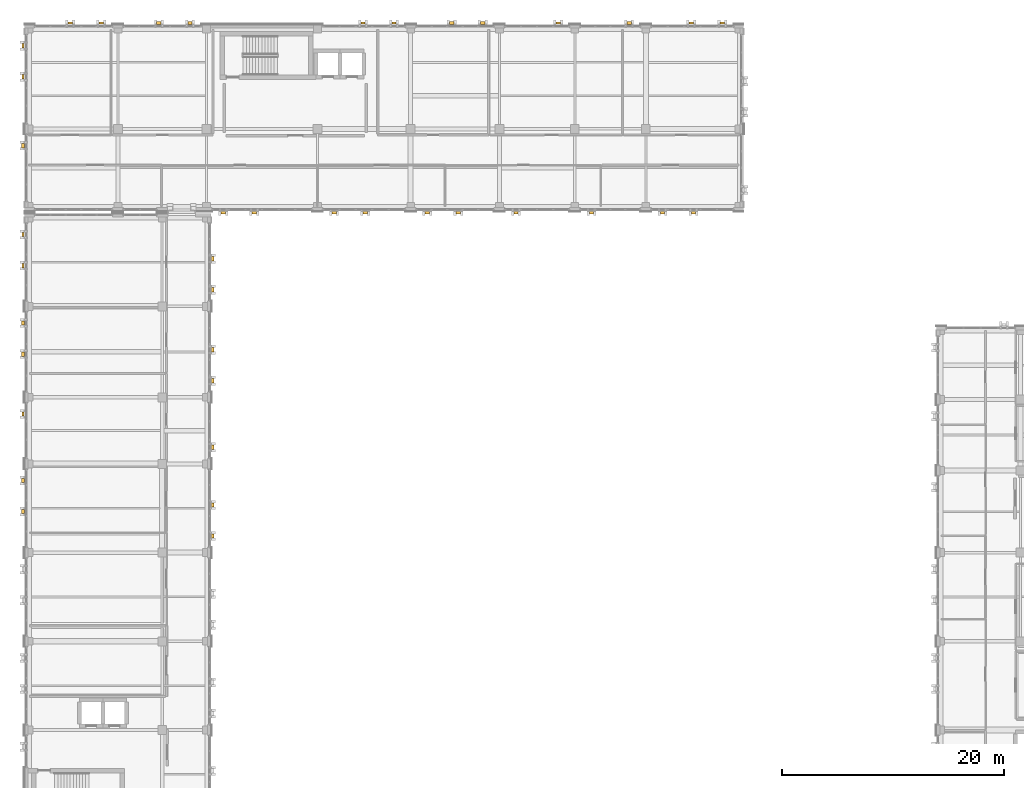
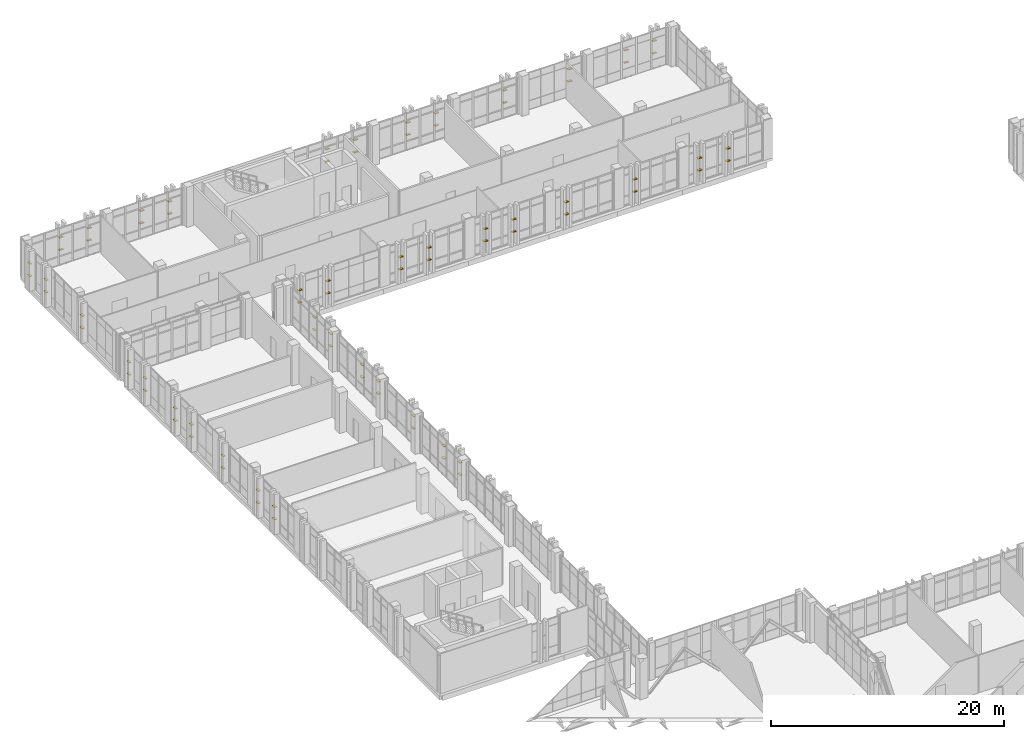
# One storey, part 191 of 193: 78 shading devices.
"""IFC4 building model written with IfcOpenShell, lengths in metres."""

import ifcopenshell
import ifcopenshell.guid

model = None  # the IFC model being written
_history = None  # IfcOwnerHistory: only IFC2X3 demands one
_inside = {}  # id of a spatial element -> (the spatial element, [elements in it])
_under = {}  # id of a project, library or spatial element -> (it, [spatial elements below it])
_declared = {}  # id of a project -> (the project, [libraries it declares])
_typed = {}  # id of a type object -> (the type object, [elements of that type])
_made_of = {}  # id of a material, layer set ... -> (it, [elements and type objects made of it])


def new_model(schema):
    """Start an empty IFC model of exactly this schema.

    Asked for "IFC4X3", IfcOpenShell would pick the latest addendum, in which some entities
    have other attributes; the version numbers below select the first issue.
    IFC2X3 requires an IfcOwnerHistory on every rooted entity: one is made here for all.
    """
    global model, _history
    if schema == "IFC4X3":
        model = ifcopenshell.file(schema_version=(4, 3, 0, 0))
    else:
        model = ifcopenshell.file(schema=schema)
    _inside.clear()
    _under.clear()
    _declared.clear()
    _typed.clear()
    _made_of.clear()
    _history = None
    if model.schema == "IFC2X3":
        org = make("IfcOrganization", Name="unknown")
        user = make(
            "IfcPersonAndOrganization",
            ThePerson=make("IfcPerson", FamilyName="unknown"),
            TheOrganization=org,
        )
        app = make(
            "IfcApplication",
            ApplicationDeveloper=org,
            Version="unknown",
            ApplicationFullName="unknown",
            ApplicationIdentifier="unknown",
        )
        _history = make(
            "IfcOwnerHistory",
            OwningUser=user,
            OwningApplication=app,
            ChangeAction="ADDED",
            CreationDate=0,
        )
    return model


def make(cls, **values):
    """One entity of the class cls with the attributes given. An attribute that is None is left unset."""
    return model.create_entity(
        cls, **{name: value for name, value in values.items() if value is not None}
    )


def rooted(cls, **values):
    """An entity with a GlobalId (a new one), such as an element, a storey or a relation."""
    return make(cls, GlobalId=ifcopenshell.guid.new(), OwnerHistory=_history, **values)


def si_unit(unit_type, name, prefix=None):
    """IfcSIUnit, for example si_unit("LENGTHUNIT", "METRE", prefix="MILLI")."""
    return make("IfcSIUnit", UnitType=unit_type, Prefix=prefix, Name=name)


def assignment(units):
    """IfcUnitAssignment: the units of a project."""
    return None if units is None else make("IfcUnitAssignment", Units=units)


def point(xyz):
    """IfcCartesianPoint."""
    return None if xyz is None else make("IfcCartesianPoint", Coordinates=xyz)


def direction(xyz):
    """IfcDirection."""
    return None if xyz is None else make("IfcDirection", DirectionRatios=xyz)


def frame(location, z_axis=None, x_axis=None):
    """IfcAxis2Placement3D, a coordinate frame: its origin and axes. An axis left out is left unset."""
    return make(
        "IfcAxis2Placement3D",
        Location=point(location),
        Axis=direction(z_axis),
        RefDirection=direction(x_axis),
    )


def frame_2d(location, x_axis=None):
    """IfcAxis2Placement2D, a coordinate frame in the plane: its origin and x axis."""
    return make(
        "IfcAxis2Placement2D", Location=point(location), RefDirection=direction(x_axis)
    )


def origin():
    """The frame at (0, 0, 0) with its axes left unset."""
    return frame((0.0, 0.0, 0.0))


def origin_2d():
    """The frame at (0, 0) in the plane with its x axis left unset."""
    return frame_2d((0.0, 0.0))


def place(relative_to, where):
    """IfcLocalPlacement: puts the frame where relative to a parent placement (None: the world)."""
    return make(
        "IfcLocalPlacement", PlacementRelTo=relative_to, RelativePlacement=where
    )


def context(
    kind, dimensions, precision=None, world=None, true_north=None, identifier=None
):
    """IfcGeometricRepresentationContext, for example the 3D "Model" context."""
    return make(
        "IfcGeometricRepresentationContext",
        ContextIdentifier=identifier,
        ContextType=kind,
        CoordinateSpaceDimension=dimensions,
        Precision=precision,
        WorldCoordinateSystem=world,
        TrueNorth=true_north,
    )


def subcontext(parent, identifier, kind, view, scale=None):
    """IfcGeometricRepresentationSubContext, for example "Body" below "Model"."""
    return make(
        "IfcGeometricRepresentationSubContext",
        ContextIdentifier=identifier,
        ContextType=kind,
        ParentContext=parent,
        TargetScale=scale,
        TargetView=view,
    )


def project(units=None, contexts=None):
    """IfcProject with its units and contexts."""
    return rooted(
        "IfcProject",
        Name="project",
        RepresentationContexts=contexts,
        UnitsInContext=assignment(units),
    )


def spatial(cls, under=None, at=None, **own):
    """A site, building, storey or space (cls), placed at a placement, below another one or the project."""
    s = rooted(cls, ObjectPlacement=at, **own)
    if under is not None:
        _under.setdefault(under.id(), (under, []))[1].append(s)
    return s


def profile(cls, at=None, kind="AREA", **sizes):
    """A parametric profile (cls). Its sizes go by their IFC names, for example OverallWidth=200.0."""
    return make(cls, ProfileType=kind, Position=at, **sizes)


def rectangle(**sizes):
    """IfcRectangleProfileDef."""
    return profile("IfcRectangleProfileDef", **sizes)


def extrude(swept, where, along, depth):
    """IfcExtrudedAreaSolid: the profile swept, set in the frame where, extruded along a direction by depth."""
    return make(
        "IfcExtrudedAreaSolid",
        SweptArea=swept,
        Position=where,
        ExtrudedDirection=direction(along),
        Depth=depth,
    )


def shape(context_of_items, identifier, shape_type, items):
    """IfcShapeRepresentation: the items that make up one representation, for example the "Body"."""
    return make(
        "IfcShapeRepresentation",
        ContextOfItems=context_of_items,
        RepresentationIdentifier=identifier,
        RepresentationType=shape_type,
        Items=items,
    )


def material(Name=None, Category=None):
    """IfcMaterial."""
    return make("IfcMaterial", Name=Name, Category=Category)


def made_of(thing, what):
    """Note that an element or type object is made of a material, layer set ...; save() writes the relation."""
    if what is not None:
        _made_of.setdefault(what.id(), (what, []))[1].append(thing)
    return thing


def type_object(cls, material=None, **own):
    """A type object (cls), such as IfcWallType, which elements share."""
    return made_of(rooted(cls, **own), material)


def element(
    cls,
    number,
    at=None,
    inside=None,
    cuts=None,
    type_object=None,
    material=None,
    context=None,
    identifier="Body",
    shape_type=None,
    held_by="IfcProductDefinitionShape",
    body=None,
    shapes=None,
    **own,
):
    """One element of the class cls, such as IfcWall. Its Tag is "e" and its number.

    at: its placement. inside: the storey or other place that contains it. cuts: it is an
    opening in that element (IfcRelVoidsElement). A single representation is given by context,
    identifier, shape_type and body (its items); several are given by shapes. held_by: the class
    of the entity that holds the representations. save() writes the other relations.
    """
    e = rooted(cls, Tag="e%d" % number, ObjectPlacement=at, **own)
    if body is not None:
        shapes = [shape(context, identifier, shape_type, body)]
    if shapes is not None:
        e.Representation = make(held_by, Representations=shapes)
    if inside is not None:
        _inside.setdefault(inside.id(), (inside, []))[1].append(e)
    if cuts is not None:
        rooted(
            "IfcRelVoidsElement", RelatingBuildingElement=cuts, RelatedOpeningElement=e
        )
    if type_object is not None:
        _typed.setdefault(type_object.id(), (type_object, []))[1].append(e)
    return made_of(e, material)


def aggregate(whole, parts):
    """IfcRelAggregates: a whole, such as a stair, and the parts it consists of."""
    return rooted("IfcRelAggregates", RelatingObject=whole, RelatedObjects=parts)


def save(model, path):
    """Write the relations noted so far, then the file.

    IfcRelAggregates (storeys below a building ...), IfcRelContainedInSpatialStructure (elements
    in a storey), IfcRelDefinesByType, IfcRelAssociatesMaterial and IfcRelDeclares: one each for
    every whole, place, type object, material and project.
    """
    for whole, parts in _under.values():
        aggregate(whole, parts)
    for where, things in _inside.values():
        rooted(
            "IfcRelContainedInSpatialStructure",
            RelatedElements=things,
            RelatingStructure=where,
        )
    for kind, things in _typed.values():
        rooted("IfcRelDefinesByType", RelatedObjects=things, RelatingType=kind)
    for what, things in _made_of.values():
        rooted("IfcRelAssociatesMaterial", RelatedObjects=things, RelatingMaterial=what)
    for by, libraries in _declared.values():
        rooted("IfcRelDeclares", RelatingContext=by, RelatedDefinitions=libraries)
    model.write(path)


model = new_model("IFC4")

# Units and contexts
model_context = context("Model", 3, precision=1e-05, world=origin(), true_north=direction((0.0, 1.0)))
body_context = subcontext(model_context, "Body", "Model", "MODEL_VIEW")
ifc_project = project(units=[si_unit("LENGTHUNIT", "METRE"), si_unit("AREAUNIT", "SQUARE_METRE"), si_unit("VOLUMEUNIT", "CUBIC_METRE"), si_unit("PLANEANGLEUNIT", "RADIAN"), si_unit("MASSUNIT", "GRAM", prefix="KILO")], contexts=[model_context])

# Site, building, storey
site_placement = place(None, origin())
site = spatial("IfcSite", under=ifc_project, at=site_placement, CompositionType="ELEMENT")
building_placement = place(site_placement, origin())
building = spatial("IfcBuilding", under=site, at=building_placement, Name="Qalavern Law Courts", CompositionType="ELEMENT")
storey_placement = place(building_placement, frame((0.0, 0.0, 10.199951171875)))
storey = spatial("IfcBuildingStorey", under=building, at=storey_placement, Name="L02", CompositionType="ELEMENT", Elevation=10.199951171875)

# Shading devices
ifc_material = material(Name="Anodised aluminium", Category="aluminium")
shading_device_type_1 = type_object("IfcShadingDeviceType", Name="ENV-LOUV-1", PredefinedType="JALOUSIE", material=ifc_material)
for number, where, z_axis, x_axis, name in (
    (1, (18.955078125, 74.89990234375, 1.34033203125), (0.0, 0.0, 1.0), (0.0, 1.0, 0.0), "Horizontal sun louvre V3-L02-0-1"),
    (2, (18.955078125, 74.89990234375, 2.63232421875), (0.0, 0.0, 1.0), (0.0, 1.0, 0.0), "Horizontal sun louvre V3-L02-0-2"),
    (3, (18.955078125, 89.10009765625, 1.34033203125), (0.0, 0.0, 1.0), (0.0, 1.0, 0.0), "Horizontal sun louvre V3-L02-0-1"),
    (4, (18.955078125, 89.10009765625, 2.63232421875), (0.0, 0.0, 1.0), (0.0, 1.0, 0.0), "Horizontal sun louvre V3-L02-0-2"),
    (5, (18.955078125, 91.89990234375, 1.34033203125), (0.0, 0.0, 1.0), (0.0, 1.0, 0.0), "Horizontal sun louvre V3-L02-1-1"),
    (6, (18.955078125, 91.89990234375, 2.63232421875), (0.0, 0.0, 1.0), (0.0, 1.0, 0.0), "Horizontal sun louvre V3-L02-1-2"),
    (7, (1.844970703125, 94.080078125, 1.34033203125), (0.0, 0.0, 1.0), (0.0, -1.0, 0.0), "Horizontal sun louvre V3-L02-0-1"),
    (8, (1.844970703125, 94.080078125, 2.63232421875), (0.0, 0.0, 1.0), (0.0, -1.0, 0.0), "Horizontal sun louvre V3-L02-0-2"),
    (9, (1.844970703125, 91.280029296875, 1.34033203125), (0.0, 0.0, 1.0), (0.0, -1.0, 0.0), "Horizontal sun louvre V3-L02-1-1"),
    (10, (1.844970703125, 91.280029296875, 2.63232421875), (0.0, 0.0, 1.0), (0.0, -1.0, 0.0), "Horizontal sun louvre V3-L02-1-2"),
    (11, (1.844970703125, 77.89990234375, 1.34033203125), (0.0, 0.0, 1.0), (0.0, -1.0, 0.0), "Horizontal sun louvre V3-L02-0-1"),
    (12, (1.844970703125, 77.89990234375, 2.63232421875), (0.0, 0.0, 1.0), (0.0, -1.0, 0.0), "Horizontal sun louvre V3-L02-0-2"),
    (13, (19.89990234375, 96.044921875, 1.34033203125), (0.0, 0.0, 1.0), (1.0, 0.0, 0.0), "Horizontal sun louvre V5-L02-0-1"),
    (14, (19.89990234375, 96.044921875, 2.63232421875), (0.0, 0.0, 1.0), (1.0, 0.0, 0.0), "Horizontal sun louvre V5-L02-0-2"),
    (15, (22.699951171875, 96.044921875, 1.34033203125), (0.0, 0.0, 1.0), (1.0, 0.0, 0.0), "Horizontal sun louvre V5-L02-1-1"),
    (16, (22.699951171875, 96.044921875, 2.63232421875), (0.0, 0.0, 1.0), (1.0, 0.0, 0.0), "Horizontal sun louvre V5-L02-1-2"),
    (17, (38.300048828125, 96.044921875, 1.34033203125), (0.0, 0.0, 1.0), (1.0, 0.0, 0.0), "Horizontal sun louvre V5-L02-0-1"),
    (18, (38.300048828125, 96.044921875, 2.63232421875), (0.0, 0.0, 1.0), (1.0, 0.0, 0.0), "Horizontal sun louvre V5-L02-0-2"),
    (19, (41.10009765625, 96.044921875, 1.34033203125), (0.0, 0.0, 1.0), (1.0, 0.0, 0.0), "Horizontal sun louvre V5-L02-1-1"),
    (20, (41.10009765625, 96.044921875, 2.63232421875), (0.0, 0.0, 1.0), (1.0, 0.0, 0.0), "Horizontal sun louvre V5-L02-1-2"),
    (21, (53.10009765625, 96.044921875, 1.34033203125), (0.0, 0.0, 1.0), (1.0, 0.0, 0.0), "Horizontal sun louvre V5-L02-0-1"),
    (22, (53.10009765625, 96.044921875, 2.63232421875), (0.0, 0.0, 1.0), (1.0, 0.0, 0.0), "Horizontal sun louvre V5-L02-0-2"),
    (23, (64.89990234375, 113.155029296875, 1.34033203125), (0.0, 0.0, 1.0), (-1.0, 0.0, 0.0), "Horizontal sun louvre V5-L02-0-1"),
    (24, (64.89990234375, 113.155029296875, 2.63232421875), (0.0, 0.0, 1.0), (-1.0, 0.0, 0.0), "Horizontal sun louvre V5-L02-0-2"),
    (25, (62.10009765625, 113.155029296875, 1.34033203125), (0.0, 0.0, 1.0), (-1.0, 0.0, 0.0), "Horizontal sun louvre V5-L02-1-1"),
    (26, (62.10009765625, 113.155029296875, 2.63232421875), (0.0, 0.0, 1.0), (-1.0, 0.0, 0.0), "Horizontal sun louvre V5-L02-1-2"),
    (27, (50.10009765625, 113.155029296875, 1.34033203125), (0.0, 0.0, 1.0), (-1.0, 0.0, 0.0), "Horizontal sun louvre V5-L02-0-1"),
    (28, (50.10009765625, 113.155029296875, 2.63232421875), (0.0, 0.0, 1.0), (-1.0, 0.0, 0.0), "Horizontal sun louvre V5-L02-0-2"),
    (29, (35.300048828125, 113.155029296875, 1.34033203125), (0.0, 0.0, 1.0), (-1.0, 0.0, 0.0), "Horizontal sun louvre V5-L02-0-1"),
    (30, (35.300048828125, 113.155029296875, 2.63232421875), (0.0, 0.0, 1.0), (-1.0, 0.0, 0.0), "Horizontal sun louvre V5-L02-0-2"),
    (31, (32.5, 113.155029296875, 1.34033203125), (0.0, 0.0, 1.0), (-1.0, 0.0, 0.0), "Horizontal sun louvre V5-L02-1-1"),
    (32, (32.5, 113.155029296875, 2.63232421875), (0.0, 0.0, 1.0), (-1.0, 0.0, 0.0), "Horizontal sun louvre V5-L02-1-2"),
    (33, (8.89990234375, 113.155029296875, 1.34033203125), (0.0, 0.0, 1.0), (-1.0, 0.0, 0.0), "Horizontal sun louvre V5-L02-0-1"),
    (34, (8.89990234375, 113.155029296875, 2.63232421875), (0.0, 0.0, 1.0), (-1.0, 0.0, 0.0), "Horizontal sun louvre V5-L02-0-2"),
    (35, (6.10009765625, 113.155029296875, 1.34033203125), (0.0, 0.0, 1.0), (-1.0, 0.0, 0.0), "Horizontal sun louvre V5-L02-1-1"),
    (36, (6.10009765625, 113.155029296875, 2.63232421875), (0.0, 0.0, 1.0), (-1.0, 0.0, 0.0), "Horizontal sun louvre V5-L02-1-2"),
    (37, (1.844970703125, 111.10009765625, 1.34033203125), (0.0, 0.0, 1.0), (0.0, -1.0, 0.0), "Horizontal sun louvre V5-L02-0-1"),
    (38, (1.844970703125, 111.10009765625, 2.63232421875), (0.0, 0.0, 1.0), (0.0, -1.0, 0.0), "Horizontal sun louvre V5-L02-0-2"),
    (39, (1.844970703125, 108.300048828125, 1.34033203125), (0.0, 0.0, 1.0), (0.0, -1.0, 0.0), "Horizontal sun louvre V5-L02-1-1"),
    (40, (1.844970703125, 108.300048828125, 2.63232421875), (0.0, 0.0, 1.0), (0.0, -1.0, 0.0), "Horizontal sun louvre V5-L02-1-2"),
):
    element("IfcShadingDevice", number, at=place(storey_placement, frame(where, z_axis=z_axis, x_axis=x_axis)), inside=storey, type_object=shading_device_type_1, Name=name, PredefinedType="JALOUSIE", context=body_context, shape_type="SweptSolid", body=[
        extrude(rectangle(XDim=0.389892578125, YDim=0.2099609375, at=origin_2d()), origin(), (0.0, 0.0, 1.0), 0.06005859375),
    ])
shading_device_type_2 = type_object("IfcShadingDeviceType", Name="ENV-LOUV-2", PredefinedType="JALOUSIE", material=ifc_material)
for number, where, z_axis, x_axis, name in (
    (41, (18.955078125, 66.89990234375, 1.34033203125), (0.0, 0.0, 1.0), (0.0, 1.0, 0.0), "Horizontal sun louvre V3-L02-0-1"),
    (42, (18.955078125, 66.89990234375, 2.63232421875), (0.0, 0.0, 1.0), (0.0, 1.0, 0.0), "Horizontal sun louvre V3-L02-0-2"),
    (43, (18.955078125, 69.699951171875, 1.34033203125), (0.0, 0.0, 1.0), (0.0, 1.0, 0.0), "Horizontal sun louvre V3-L02-1-1"),
    (44, (18.955078125, 69.699951171875, 2.63232421875), (0.0, 0.0, 1.0), (0.0, 1.0, 0.0), "Horizontal sun louvre V3-L02-1-2"),
    (45, (18.955078125, 80.89990234375, 1.34033203125), (0.0, 0.0, 1.0), (0.0, 1.0, 0.0), "Horizontal sun louvre V3-L02-0-1"),
    (46, (18.955078125, 80.89990234375, 2.63232421875), (0.0, 0.0, 1.0), (0.0, 1.0, 0.0), "Horizontal sun louvre V3-L02-0-2"),
    (47, (18.955078125, 83.699951171875, 1.34033203125), (0.0, 0.0, 1.0), (0.0, 1.0, 0.0), "Horizontal sun louvre V3-L02-1-1"),
    (48, (18.955078125, 83.699951171875, 2.63232421875), (0.0, 0.0, 1.0), (0.0, 1.0, 0.0), "Horizontal sun louvre V3-L02-1-2"),
    (49, (1.844970703125, 86.10009765625, 1.34033203125), (0.0, 0.0, 1.0), (0.0, -1.0, 0.0), "Horizontal sun louvre V3-L02-0-1"),
    (50, (1.844970703125, 86.10009765625, 2.63232421875), (0.0, 0.0, 1.0), (0.0, -1.0, 0.0), "Horizontal sun louvre V3-L02-0-2"),
    (51, (1.844970703125, 83.300048828125, 1.34033203125), (0.0, 0.0, 1.0), (0.0, -1.0, 0.0), "Horizontal sun louvre V3-L02-1-1"),
    (52, (1.844970703125, 83.300048828125, 2.63232421875), (0.0, 0.0, 1.0), (0.0, -1.0, 0.0), "Horizontal sun louvre V3-L02-1-2"),
    (53, (1.844970703125, 71.89990234375, 1.34033203125), (0.0, 0.0, 1.0), (0.0, -1.0, 0.0), "Horizontal sun louvre V3-L02-0-1"),
    (54, (1.844970703125, 71.89990234375, 2.63232421875), (0.0, 0.0, 1.0), (0.0, -1.0, 0.0), "Horizontal sun louvre V3-L02-0-2"),
    (55, (1.844970703125, 69.10009765625, 1.34033203125), (0.0, 0.0, 1.0), (0.0, -1.0, 0.0), "Horizontal sun louvre V3-L02-1-1"),
    (56, (1.844970703125, 69.10009765625, 2.63232421875), (0.0, 0.0, 1.0), (0.0, -1.0, 0.0), "Horizontal sun louvre V3-L02-1-2"),
    (57, (29.89990234375, 96.044921875, 1.34033203125), (0.0, 0.0, 1.0), (1.0, 0.0, 0.0), "Horizontal sun louvre V5-L02-0-1"),
    (58, (29.89990234375, 96.044921875, 2.63232421875), (0.0, 0.0, 1.0), (1.0, 0.0, 0.0), "Horizontal sun louvre V5-L02-0-2"),
    (59, (32.699951171875, 96.044921875, 1.34033203125), (0.0, 0.0, 1.0), (1.0, 0.0, 0.0), "Horizontal sun louvre V5-L02-1-1"),
    (60, (32.699951171875, 96.044921875, 2.63232421875), (0.0, 0.0, 1.0), (1.0, 0.0, 0.0), "Horizontal sun louvre V5-L02-1-2"),
    (61, (46.300048828125, 96.044921875, 1.34033203125), (0.0, 0.0, 1.0), (1.0, 0.0, 0.0), "Horizontal sun louvre V5-L02-0-1"),
    (62, (46.300048828125, 96.044921875, 2.63232421875), (0.0, 0.0, 1.0), (1.0, 0.0, 0.0), "Horizontal sun louvre V5-L02-0-2"),
    (63, (59.5, 96.044921875, 1.34033203125), (0.0, 0.0, 1.0), (1.0, 0.0, 0.0), "Horizontal sun louvre V5-L02-0-1"),
    (64, (59.5, 96.044921875, 2.63232421875), (0.0, 0.0, 1.0), (1.0, 0.0, 0.0), "Horizontal sun louvre V5-L02-0-2"),
    (65, (62.300048828125, 96.044921875, 1.34033203125), (0.0, 0.0, 1.0), (1.0, 0.0, 0.0), "Horizontal sun louvre V5-L02-1-1"),
    (66, (62.300048828125, 96.044921875, 2.63232421875), (0.0, 0.0, 1.0), (1.0, 0.0, 0.0), "Horizontal sun louvre V5-L02-1-2"),
    (67, (56.5, 113.155029296875, 1.34033203125), (0.0, 0.0, 1.0), (-1.0, 0.0, 0.0), "Horizontal sun louvre V5-L02-0-1"),
    (68, (56.5, 113.155029296875, 2.63232421875), (0.0, 0.0, 1.0), (-1.0, 0.0, 0.0), "Horizontal sun louvre V5-L02-0-2"),
    (69, (43.300048828125, 113.155029296875, 1.34033203125), (0.0, 0.0, 1.0), (-1.0, 0.0, 0.0), "Horizontal sun louvre V5-L02-0-1"),
    (70, (43.300048828125, 113.155029296875, 2.63232421875), (0.0, 0.0, 1.0), (-1.0, 0.0, 0.0), "Horizontal sun louvre V5-L02-0-2"),
    (71, (40.5, 113.155029296875, 1.34033203125), (0.0, 0.0, 1.0), (-1.0, 0.0, 0.0), "Horizontal sun louvre V5-L02-1-1"),
    (72, (40.5, 113.155029296875, 2.63232421875), (0.0, 0.0, 1.0), (-1.0, 0.0, 0.0), "Horizontal sun louvre V5-L02-1-2"),
    (73, (16.89990234375, 113.155029296875, 1.34033203125), (0.0, 0.0, 1.0), (-1.0, 0.0, 0.0), "Horizontal sun louvre V5-L02-0-1"),
    (74, (16.89990234375, 113.155029296875, 2.63232421875), (0.0, 0.0, 1.0), (-1.0, 0.0, 0.0), "Horizontal sun louvre V5-L02-0-2"),
    (75, (14.10009765625, 113.155029296875, 1.34033203125), (0.0, 0.0, 1.0), (-1.0, 0.0, 0.0), "Horizontal sun louvre V5-L02-1-1"),
    (76, (14.10009765625, 113.155029296875, 2.63232421875), (0.0, 0.0, 1.0), (-1.0, 0.0, 0.0), "Horizontal sun louvre V5-L02-1-2"),
    (77, (1.844970703125, 102.10009765625, 1.34033203125), (0.0, 0.0, 1.0), (0.0, -1.0, 0.0), "Horizontal sun louvre V5-L02-0-1"),
    (78, (1.844970703125, 102.10009765625, 2.63232421875), (0.0, 0.0, 1.0), (0.0, -1.0, 0.0), "Horizontal sun louvre V5-L02-0-2"),
):
    element("IfcShadingDevice", number, at=place(storey_placement, frame(where, z_axis=z_axis, x_axis=x_axis)), inside=storey, type_object=shading_device_type_2, Name=name, PredefinedType="JALOUSIE", context=body_context, shape_type="SweptSolid", body=[
        extrude(rectangle(XDim=0.389892578125, YDim=0.25, at=origin_2d()), origin(), (0.0, 0.0, 1.0), 0.06005859375),
    ])

save(model, "model.ifc")
